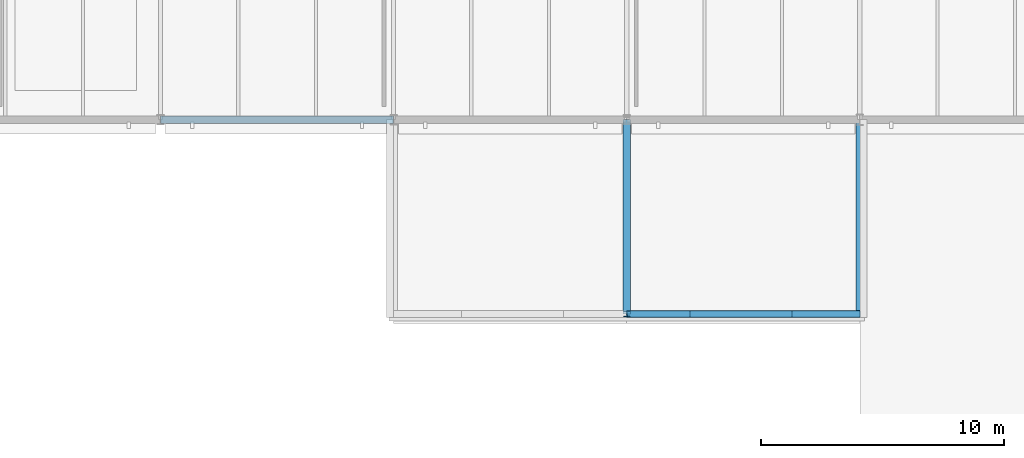
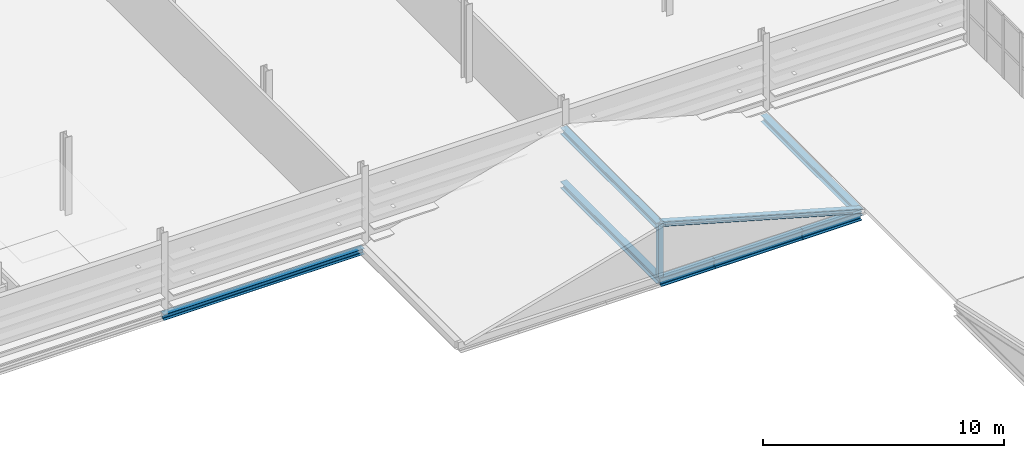
# One storey, part 28 of 85: 7 beams, 2 members.
"""IFC4 building model written with IfcOpenShell, lengths in metres."""

from ifc_helpers import new_model, si_unit, direction, frame, origin, origin_2d, place, context, subcontext, project, spatial, i_section, extrude, material, material_profile, profile_set, type_object, element, save


model = new_model("IFC4")

# Units and contexts
model_context = context("Model", 3, precision=1e-05, world=origin(), true_north=direction((0.0, 1.0)))
body_context = subcontext(model_context, "Body", "Model", "MODEL_VIEW")
ifc_project = project(units=[si_unit("LENGTHUNIT", "METRE"), si_unit("AREAUNIT", "SQUARE_METRE"), si_unit("VOLUMEUNIT", "CUBIC_METRE"), si_unit("PLANEANGLEUNIT", "RADIAN"), si_unit("MASSUNIT", "GRAM", prefix="KILO")], contexts=[model_context])

# Site, building, storey
site_placement = place(None, origin())
site = spatial("IfcSite", under=ifc_project, at=site_placement, CompositionType="ELEMENT")
building_placement = place(site_placement, origin())
building = spatial("IfcBuilding", under=site, at=building_placement, Name="Alderhovde Museum", CompositionType="ELEMENT")
storey_placement = place(building_placement, frame((0.0, 0.0, 8.699951171875)))
storey = spatial("IfcBuildingStorey", under=building, at=storey_placement, Name="L02", CompositionType="ELEMENT", Elevation=8.699951171875)

# Beams
ifc_material_1 = material(Name="Steel S355J2", Category="steel")
ifc_material_profile_1 = material_profile(ifc_material_1, i_section(OverallWidth=0.300048828125, OverallDepth=0.330078125, WebThickness=0.009521484375, FlangeThickness=0.0166015625, FilletRadius=0.027099609375, at=origin_2d()), Name="HEA 340")
ifc_profile_set_1 = profile_set([ifc_material_profile_1], Name="Steel S355J2")
beam_type_1 = type_object("IfcBeamType", Name="BM-HEA340", PredefinedType="BEAM", material=ifc_profile_set_1)
for number, where, z_axis, x_axis, name in (
    (1, (57.60009765625, 40.0, -0.429931640625), (0.0, 1.0, 0.0), (-1.0, 0.0, 0.0), "Portico Cross Tie X=57.6"),
    (2, (67.199951171875, 40.0, -0.429931640625), (0.0, 1.0, 0.0), (-1.0, 0.0, 0.0), "Portico Cross Tie X=67.2"),
    (3, (57.60009765625, 40.0, 2.300048828125), (0.0, 1.0, 0.0), (-1.0, 0.0, 0.0), "Portico Pediment Ridge Beam"),
):
    element("IfcBeam", number, at=place(storey_placement, frame(where, z_axis=z_axis, x_axis=x_axis)), inside=storey, type_object=beam_type_1, Name=name, PredefinedType="BEAM", context=body_context, shape_type="SweptSolid", body=[
        extrude(i_section(OverallWidth=0.300048828125, OverallDepth=0.330078125, WebThickness=0.009521484375, FlangeThickness=0.0166015625, FilletRadius=0.027099609375, at=origin_2d()), origin(), (0.0, 0.0, 1.0), 8.0),
    ])
ifc_material_2 = material(Name="Steel S355J2", Category="steel")
ifc_material_profile_2 = material_profile(ifc_material_2, i_section(OverallWidth=0.300048828125, OverallDepth=0.449951171875, WebThickness=0.013916015625, FlangeThickness=0.02587890625, FilletRadius=0.027099609375, at=origin_2d()), Name="HEB 450")
ifc_profile_set_2 = profile_set([ifc_material_profile_2], Name="Steel S355J2")
beam_type_2 = type_object("IfcBeamType", Name="BM-HEB450", PredefinedType="BEAM", material=ifc_profile_set_2)
beam_1_placement = place(storey_placement, frame((57.60009765625, 40.0, -0.48486328125), z_axis=(1.0, 0.0, 0.0), x_axis=(0.0, 1.0, 0.0)))
element("IfcBeam", 4, at=beam_1_placement, inside=storey, type_object=beam_type_2, Name="Portico Classical Entablature Beam (57.6 TO 60.2)", PredefinedType="BEAM", context=body_context, shape_type="SweptSolid", body=[
    extrude(i_section(OverallWidth=0.300048828125, OverallDepth=0.449951171875, WebThickness=0.013916015625, FlangeThickness=0.02587890625, FilletRadius=0.027099609375, at=origin_2d()), origin(), (0.0, 0.0, 1.0), 2.599853515625),
])
beam_2_placement = place(storey_placement, frame((60.199951171875, 40.0, -0.48486328125), z_axis=(1.0, 0.0, 0.0), x_axis=(0.0, 1.0, 0.0)))
element("IfcBeam", 5, at=beam_2_placement, inside=storey, type_object=beam_type_2, Name="Portico Classical Entablature Beam (60.2 TO 64.4)", PredefinedType="BEAM", context=body_context, shape_type="SweptSolid", body=[
    extrude(i_section(OverallWidth=0.300048828125, OverallDepth=0.449951171875, WebThickness=0.013916015625, FlangeThickness=0.02587890625, FilletRadius=0.027099609375, at=origin_2d()), origin(), (0.0, 0.0, 1.0), 4.199951171875),
])
beam_3_placement = place(storey_placement, frame((64.39990234375, 40.0, -0.48486328125), z_axis=(1.0, 0.0, 0.0), x_axis=(0.0, 1.0, 0.0)))
element("IfcBeam", 6, at=beam_3_placement, inside=storey, type_object=beam_type_2, Name="Portico Classical Entablature Beam (64.4 TO 67.2)", PredefinedType="BEAM", context=body_context, shape_type="SweptSolid", body=[
    extrude(i_section(OverallWidth=0.300048828125, OverallDepth=0.449951171875, WebThickness=0.013916015625, FlangeThickness=0.02587890625, FilletRadius=0.027099609375, at=origin_2d()), origin(), (0.0, 0.0, 1.0), 2.800048828125),
])
ifc_material_3 = material(Name="Steel S355J2", Category="steel")
ifc_material_profile_3 = material_profile(ifc_material_3, i_section(OverallWidth=0.300048828125, OverallDepth=0.2900390625, WebThickness=0.008544921875, FlangeThickness=0.013916015625, FilletRadius=0.027099609375, at=origin_2d()), Name="HEA 300")
ifc_profile_set_3 = profile_set([ifc_material_profile_3], Name="Steel S355J2")
beam_type_3 = type_object("IfcBeamType", Name="SPD-HEA300", PredefinedType="SPANDREL", material=ifc_profile_set_3)
beam_4_placement = place(storey_placement, frame((38.39990234375, 48.0, -0.405029296875), z_axis=(1.0, 0.0, 0.0), x_axis=(0.0, 1.0, 0.0)))
element("IfcBeam", 7, at=beam_4_placement, inside=storey, type_object=beam_type_3, Name="L02 Grid Beam Y=48.0 (38.4 TO 48.0)", PredefinedType="SPANDREL", context=body_context, shape_type="SweptSolid", body=[
    extrude(i_section(OverallWidth=0.300048828125, OverallDepth=0.2900390625, WebThickness=0.008544921875, FlangeThickness=0.013916015625, FilletRadius=0.027099609375, at=origin_2d()), origin(), (0.0, 0.0, 1.0), 9.60009765625),
])

# Members
ifc_material_4 = material(Name="Steel S355J2", Category="steel")
ifc_material_profile_4 = material_profile(ifc_material_4, i_section(OverallWidth=0.260009765625, OverallDepth=0.25, WebThickness=0.007568359375, FlangeThickness=0.012451171875, FilletRadius=0.02392578125, at=origin_2d()), Name="HEA 260")
ifc_profile_set_4 = profile_set([ifc_material_profile_4], Name="Steel S355J2")
member_type_1 = type_object("IfcMemberType", Name="TR-CH-HEA260", PredefinedType="CHORD", material=ifc_profile_set_4)
member_1_placement = place(storey_placement, frame((67.199951171875, 40.0, -0.260009765625), z_axis=(-0.962389149757, 0.0, 0.271674666522), x_axis=(0.0, -1.0, 0.0)))
element("IfcMember", 8, at=member_1_placement, inside=storey, type_object=member_type_1, Name="Portico Pediment East Rafter Y=40", PredefinedType="CHORD", context=body_context, shape_type="SweptSolid", body=[
    extrude(i_section(OverallWidth=0.260009765625, OverallDepth=0.25, WebThickness=0.007568359375, FlangeThickness=0.012451171875, FilletRadius=0.02392578125, at=origin_2d()), origin(), (0.0, 0.0, 1.0), 9.97509765625),
])
ifc_material_5 = material(Name="Steel S355J2", Category="steel")
ifc_material_profile_5 = material_profile(ifc_material_5, i_section(OverallWidth=0.239990234375, OverallDepth=0.22998046875, WebThickness=0.007568359375, FlangeThickness=0.011962890625, FilletRadius=0.02099609375, at=origin_2d()), Name="HEA 240")
ifc_profile_set_5 = profile_set([ifc_material_profile_5], Name="Steel S355J2")
member_type_2 = type_object("IfcMemberType", Name="TR-PS-HEA240", PredefinedType="POST", material=ifc_profile_set_5)
member_2_placement = place(storey_placement, frame((57.60009765625, 40.0, -0.260009765625), z_axis=(0.0, 0.0, 1.0), x_axis=(1.0, 0.0, 0.0)))
element("IfcMember", 9, at=member_2_placement, inside=storey, type_object=member_type_2, Name="Portico Pediment King Post Y=40", PredefinedType="POST", context=body_context, shape_type="SweptSolid", body=[
    extrude(i_section(OverallWidth=0.239990234375, OverallDepth=0.22998046875, WebThickness=0.007568359375, FlangeThickness=0.011962890625, FilletRadius=0.02099609375, at=origin_2d()), origin(), (0.0, 0.0, 1.0), 2.7099609375),
])

save(model, "model.ifc")
